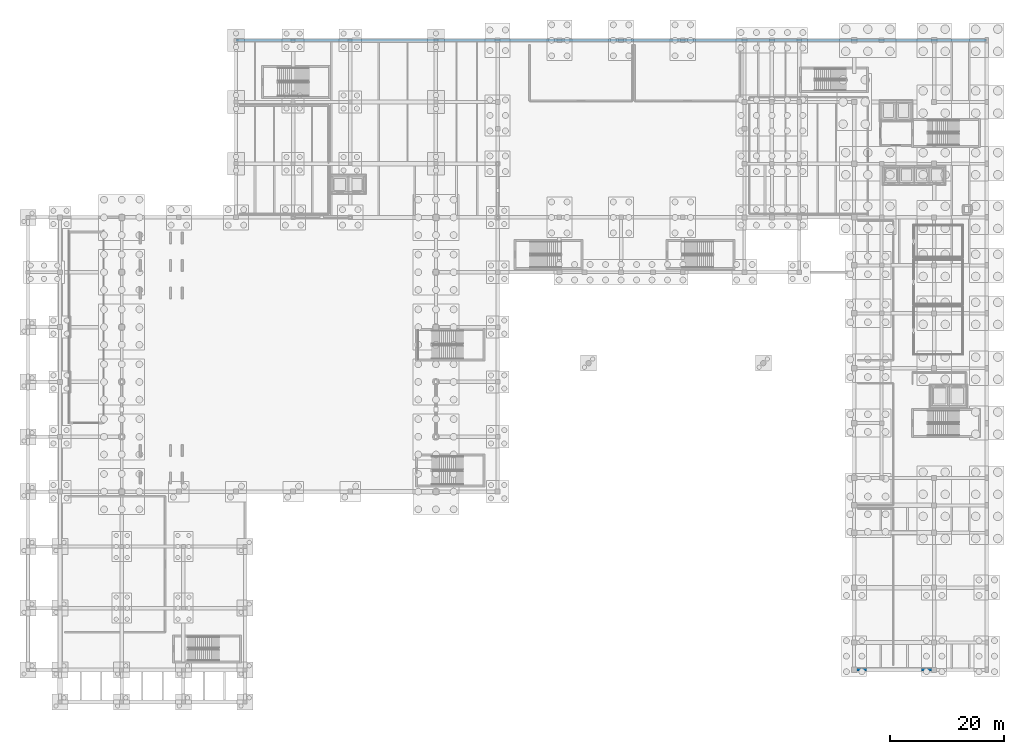
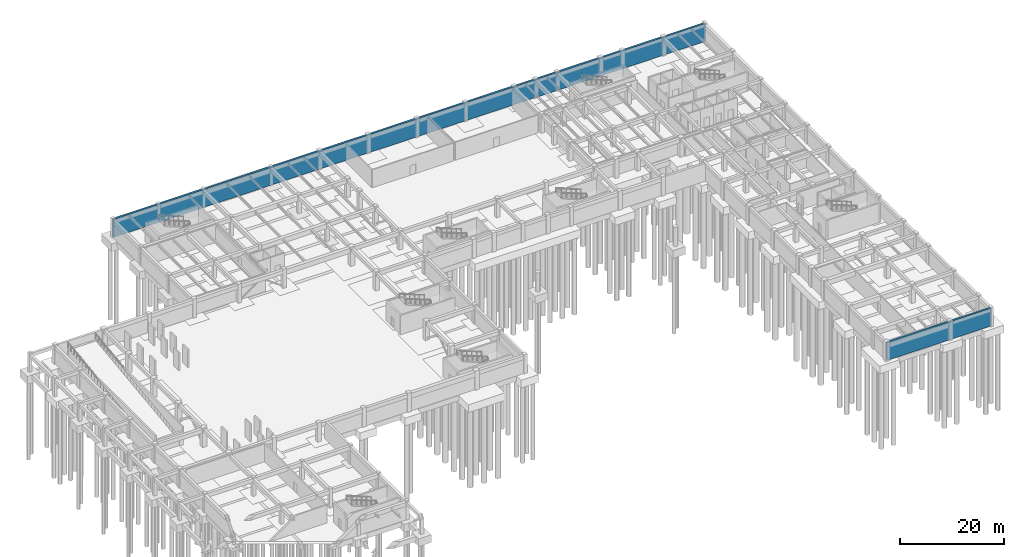
# One storey, part 18 of 33: 2 walls.
"""IFC4 building model written with IfcOpenShell, lengths in metres."""

import ifcopenshell
import ifcopenshell.guid

model = None  # the IFC model being written
_history = None  # IfcOwnerHistory: only IFC2X3 demands one
_inside = {}  # id of a spatial element -> (the spatial element, [elements in it])
_under = {}  # id of a project, library or spatial element -> (it, [spatial elements below it])
_declared = {}  # id of a project -> (the project, [libraries it declares])
_typed = {}  # id of a type object -> (the type object, [elements of that type])
_made_of = {}  # id of a material, layer set ... -> (it, [elements and type objects made of it])


def new_model(schema):
    """Start an empty IFC model of exactly this schema.

    Asked for "IFC4X3", IfcOpenShell would pick the latest addendum, in which some entities
    have other attributes; the version numbers below select the first issue.
    IFC2X3 requires an IfcOwnerHistory on every rooted entity: one is made here for all.
    """
    global model, _history
    if schema == "IFC4X3":
        model = ifcopenshell.file(schema_version=(4, 3, 0, 0))
    else:
        model = ifcopenshell.file(schema=schema)
    _inside.clear()
    _under.clear()
    _declared.clear()
    _typed.clear()
    _made_of.clear()
    _history = None
    if model.schema == "IFC2X3":
        org = make("IfcOrganization", Name="unknown")
        user = make(
            "IfcPersonAndOrganization",
            ThePerson=make("IfcPerson", FamilyName="unknown"),
            TheOrganization=org,
        )
        app = make(
            "IfcApplication",
            ApplicationDeveloper=org,
            Version="unknown",
            ApplicationFullName="unknown",
            ApplicationIdentifier="unknown",
        )
        _history = make(
            "IfcOwnerHistory",
            OwningUser=user,
            OwningApplication=app,
            ChangeAction="ADDED",
            CreationDate=0,
        )
    return model


def make(cls, **values):
    """One entity of the class cls with the attributes given. An attribute that is None is left unset."""
    return model.create_entity(
        cls, **{name: value for name, value in values.items() if value is not None}
    )


def rooted(cls, **values):
    """An entity with a GlobalId (a new one), such as an element, a storey or a relation."""
    return make(cls, GlobalId=ifcopenshell.guid.new(), OwnerHistory=_history, **values)


def si_unit(unit_type, name, prefix=None):
    """IfcSIUnit, for example si_unit("LENGTHUNIT", "METRE", prefix="MILLI")."""
    return make("IfcSIUnit", UnitType=unit_type, Prefix=prefix, Name=name)


def assignment(units):
    """IfcUnitAssignment: the units of a project."""
    return None if units is None else make("IfcUnitAssignment", Units=units)


def point(xyz):
    """IfcCartesianPoint."""
    return None if xyz is None else make("IfcCartesianPoint", Coordinates=xyz)


def direction(xyz):
    """IfcDirection."""
    return None if xyz is None else make("IfcDirection", DirectionRatios=xyz)


def frame(location, z_axis=None, x_axis=None):
    """IfcAxis2Placement3D, a coordinate frame: its origin and axes. An axis left out is left unset."""
    return make(
        "IfcAxis2Placement3D",
        Location=point(location),
        Axis=direction(z_axis),
        RefDirection=direction(x_axis),
    )


def frame_2d(location, x_axis=None):
    """IfcAxis2Placement2D, a coordinate frame in the plane: its origin and x axis."""
    return make(
        "IfcAxis2Placement2D", Location=point(location), RefDirection=direction(x_axis)
    )


def origin():
    """The frame at (0, 0, 0) with its axes left unset."""
    return frame((0.0, 0.0, 0.0))


def place(relative_to, where):
    """IfcLocalPlacement: puts the frame where relative to a parent placement (None: the world)."""
    return make(
        "IfcLocalPlacement", PlacementRelTo=relative_to, RelativePlacement=where
    )


def context(
    kind, dimensions, precision=None, world=None, true_north=None, identifier=None
):
    """IfcGeometricRepresentationContext, for example the 3D "Model" context."""
    return make(
        "IfcGeometricRepresentationContext",
        ContextIdentifier=identifier,
        ContextType=kind,
        CoordinateSpaceDimension=dimensions,
        Precision=precision,
        WorldCoordinateSystem=world,
        TrueNorth=true_north,
    )


def subcontext(parent, identifier, kind, view, scale=None):
    """IfcGeometricRepresentationSubContext, for example "Body" below "Model"."""
    return make(
        "IfcGeometricRepresentationSubContext",
        ContextIdentifier=identifier,
        ContextType=kind,
        ParentContext=parent,
        TargetScale=scale,
        TargetView=view,
    )


def project(units=None, contexts=None):
    """IfcProject with its units and contexts."""
    return rooted(
        "IfcProject",
        Name="project",
        RepresentationContexts=contexts,
        UnitsInContext=assignment(units),
    )


def spatial(cls, under=None, at=None, **own):
    """A site, building, storey or space (cls), placed at a placement, below another one or the project."""
    s = rooted(cls, ObjectPlacement=at, **own)
    if under is not None:
        _under.setdefault(under.id(), (under, []))[1].append(s)
    return s


def profile(cls, at=None, kind="AREA", **sizes):
    """A parametric profile (cls). Its sizes go by their IFC names, for example OverallWidth=200.0."""
    return make(cls, ProfileType=kind, Position=at, **sizes)


def rectangle(**sizes):
    """IfcRectangleProfileDef."""
    return profile("IfcRectangleProfileDef", **sizes)


def extrude(swept, where, along, depth):
    """IfcExtrudedAreaSolid: the profile swept, set in the frame where, extruded along a direction by depth."""
    return make(
        "IfcExtrudedAreaSolid",
        SweptArea=swept,
        Position=where,
        ExtrudedDirection=direction(along),
        Depth=depth,
    )


def shape(context_of_items, identifier, shape_type, items):
    """IfcShapeRepresentation: the items that make up one representation, for example the "Body"."""
    return make(
        "IfcShapeRepresentation",
        ContextOfItems=context_of_items,
        RepresentationIdentifier=identifier,
        RepresentationType=shape_type,
        Items=items,
    )


def material(Name=None, Category=None):
    """IfcMaterial."""
    return make("IfcMaterial", Name=Name, Category=Category)


def layer(
    of_material, thickness, ventilated=None, Name=None, Category=None, Priority=None
):
    """IfcMaterialLayer: one layer of a wall or slab, of a material (None: an air gap)."""
    return make(
        "IfcMaterialLayer",
        Material=of_material,
        LayerThickness=thickness,
        IsVentilated=ventilated,
        Name=Name,
        Category=Category,
        Priority=Priority,
    )


def layer_set(layers, Name=None):
    """IfcMaterialLayerSet."""
    return make("IfcMaterialLayerSet", MaterialLayers=layers, LayerSetName=Name)


def made_of(thing, what):
    """Note that an element or type object is made of a material, layer set ...; save() writes the relation."""
    if what is not None:
        _made_of.setdefault(what.id(), (what, []))[1].append(thing)
    return thing


def type_object(cls, material=None, **own):
    """A type object (cls), such as IfcWallType, which elements share."""
    return made_of(rooted(cls, **own), material)


def element(
    cls,
    number,
    at=None,
    inside=None,
    cuts=None,
    type_object=None,
    material=None,
    context=None,
    identifier="Body",
    shape_type=None,
    held_by="IfcProductDefinitionShape",
    body=None,
    shapes=None,
    **own,
):
    """One element of the class cls, such as IfcWall. Its Tag is "e" and its number.

    at: its placement. inside: the storey or other place that contains it. cuts: it is an
    opening in that element (IfcRelVoidsElement). A single representation is given by context,
    identifier, shape_type and body (its items); several are given by shapes. held_by: the class
    of the entity that holds the representations. save() writes the other relations.
    """
    e = rooted(cls, Tag="e%d" % number, ObjectPlacement=at, **own)
    if body is not None:
        shapes = [shape(context, identifier, shape_type, body)]
    if shapes is not None:
        e.Representation = make(held_by, Representations=shapes)
    if inside is not None:
        _inside.setdefault(inside.id(), (inside, []))[1].append(e)
    if cuts is not None:
        rooted(
            "IfcRelVoidsElement", RelatingBuildingElement=cuts, RelatedOpeningElement=e
        )
    if type_object is not None:
        _typed.setdefault(type_object.id(), (type_object, []))[1].append(e)
    return made_of(e, material)


def aggregate(whole, parts):
    """IfcRelAggregates: a whole, such as a stair, and the parts it consists of."""
    return rooted("IfcRelAggregates", RelatingObject=whole, RelatedObjects=parts)


def save(model, path):
    """Write the relations noted so far, then the file.

    IfcRelAggregates (storeys below a building ...), IfcRelContainedInSpatialStructure (elements
    in a storey), IfcRelDefinesByType, IfcRelAssociatesMaterial and IfcRelDeclares: one each for
    every whole, place, type object, material and project.
    """
    for whole, parts in _under.values():
        aggregate(whole, parts)
    for where, things in _inside.values():
        rooted(
            "IfcRelContainedInSpatialStructure",
            RelatedElements=things,
            RelatingStructure=where,
        )
    for kind, things in _typed.values():
        rooted("IfcRelDefinesByType", RelatedObjects=things, RelatingType=kind)
    for what, things in _made_of.values():
        rooted("IfcRelAssociatesMaterial", RelatedObjects=things, RelatingMaterial=what)
    for by, libraries in _declared.values():
        rooted("IfcRelDeclares", RelatingContext=by, RelatedDefinitions=libraries)
    model.write(path)


model = new_model("IFC4")

# Units and contexts
model_context = context("Model", 3, precision=1e-05, world=origin(), true_north=direction((0.0, 1.0)))
body_context = subcontext(model_context, "Body", "Model", "MODEL_VIEW")
ifc_project = project(units=[si_unit("LENGTHUNIT", "METRE"), si_unit("AREAUNIT", "SQUARE_METRE"), si_unit("VOLUMEUNIT", "CUBIC_METRE"), si_unit("PLANEANGLEUNIT", "RADIAN"), si_unit("MASSUNIT", "GRAM", prefix="KILO")], contexts=[model_context])

# Site, building, storey
site_placement = place(None, origin())
site = spatial("IfcSite", under=ifc_project, at=site_placement, CompositionType="ELEMENT")
building_placement = place(site_placement, origin())
building = spatial("IfcBuilding", under=site, at=building_placement, Name="Veldera Park Congress Hotel", CompositionType="ELEMENT")
storey_placement = place(building_placement, frame((0.0, 0.0, -4.5)))
storey = spatial("IfcBuildingStorey", under=building, at=storey_placement, Name="B1", CompositionType="ELEMENT", Elevation=-4.5)

# Walls
ifc_material = material(Name="Concrete f'c 40 MPa (5,800 psi)", Category="concrete")
ifc_layer = layer(ifc_material, 0.449951171875)
ifc_layer_set = layer_set([ifc_layer], Name="Concrete f'c 40 MPa (5,800 psi)")
wall_type = type_object("IfcWallType", Name="SW-RET450", PredefinedType="USERDEFINED", material=ifc_layer_set)
wall_1_placement = place(storey_placement, frame((60.800048828125, -52.199951171875, 0.0), z_axis=(0.0, 0.0, 1.0), x_axis=(1.0, 0.0, 0.0)))
element("IfcWall", 1, at=wall_1_placement, inside=storey, type_object=wall_type, Name="Basement Retaining Wall 7", ObjectType="RETAININGWALL", PredefinedType="USERDEFINED", context=body_context, shape_type="SweptSolid", body=[
    extrude(rectangle(XDim=23.199951171875, YDim=0.449951171875, at=frame_2d((11.60009765625, 0.0))), origin(), (0.0, 0.0, 1.0), 4.199951171875),
])
wall_2_placement = place(storey_placement, frame((84.0, 58.0, 0.0), z_axis=(0.0, 0.0, 1.0), x_axis=(-1.0, 0.0, 0.0)))
element("IfcWall", 2, at=wall_2_placement, inside=storey, type_object=wall_type, Name="Basement Retaining Wall 9", ObjectType="RETAININGWALL", PredefinedType="USERDEFINED", context=body_context, shape_type="SweptSolid", body=[
    extrude(rectangle(XDim=131.39990234375, YDim=0.449951171875, at=frame_2d((65.699951171875, 0.0))), origin(), (0.0, 0.0, 1.0), 4.199951171875),
])

save(model, "model.ifc")
